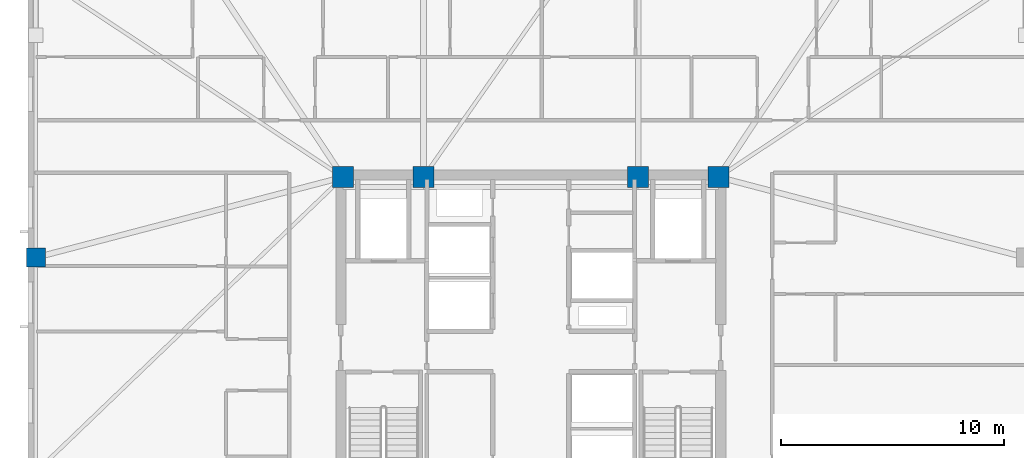
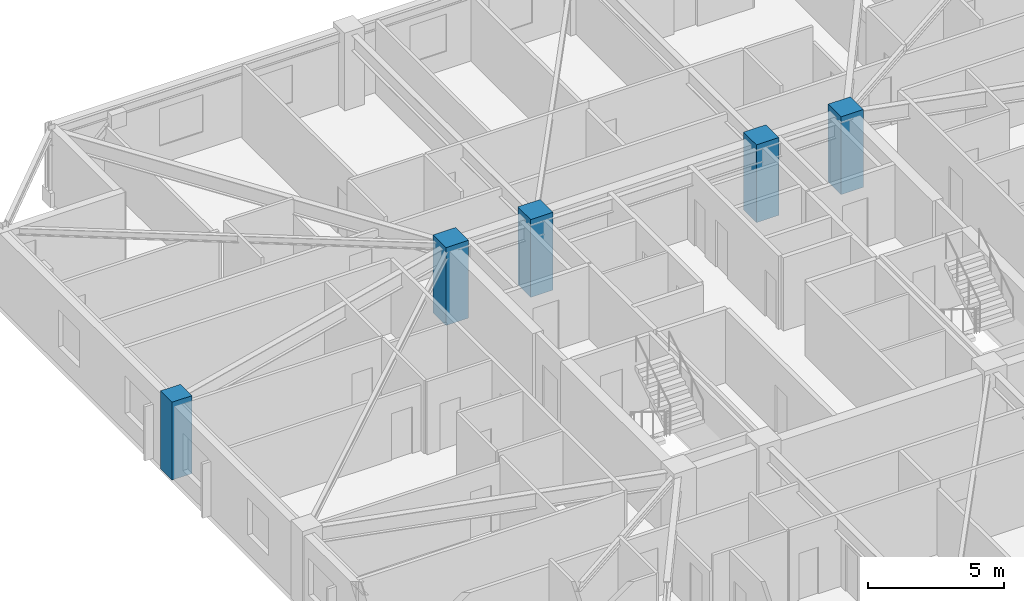
# One storey, part 2 of 17: 5 columns.
"""IFC4 building model written with IfcOpenShell, lengths in metres."""

from ifc_helpers import new_model, si_unit, direction, frame, origin, origin_2d, place, context, subcontext, project, spatial, rectangle, extrude, material, material_profile, profile_set, type_object, element, save


model = new_model("IFC4")

# Units and contexts
model_context = context("Model", 3, precision=1e-05, world=origin(), true_north=direction((0.0, 1.0)))
body_context = subcontext(model_context, "Body", "Model", "MODEL_VIEW")
ifc_project = project(units=[si_unit("LENGTHUNIT", "METRE"), si_unit("AREAUNIT", "SQUARE_METRE"), si_unit("VOLUMEUNIT", "CUBIC_METRE"), si_unit("PLANEANGLEUNIT", "RADIAN"), si_unit("MASSUNIT", "GRAM", prefix="KILO")], contexts=[model_context])

# Site, building, storey
site_placement = place(None, origin())
site = spatial("IfcSite", under=ifc_project, at=site_placement, CompositionType="ELEMENT")
building_placement = place(site_placement, origin())
building = spatial("IfcBuilding", under=site, at=building_placement, Name="Cairnveth Concourse Tower", CompositionType="ELEMENT")
storey_placement = place(building_placement, frame((0.0, 0.0, 202.5)))
storey = spatial("IfcBuildingStorey", under=building, at=storey_placement, Name="L55", CompositionType="ELEMENT", Elevation=202.5)

# Columns
ifc_material = material(Name="Concrete N65 (65 MPa)", Category="concrete")
ifc_material_profile_1 = material_profile(ifc_material, rectangle(XDim=0.949951171875, YDim=0.949951171875, at=origin_2d()), Name="RC-COL-950x950")
ifc_profile_set_1 = profile_set([ifc_material_profile_1], Name="Concrete N65 (65 MPa)")
column_type_1 = type_object("IfcColumnType", Name="CORE COLUMN 950X950", PredefinedType="COLUMN", material=ifc_profile_set_1)
for number, where, z_axis, x_axis, name in (
    (1, (43.60009765625, 47.39990234375, 0.0), (0.0, 0.0, 1.0), (1.0, 0.0, 0.0), "Column CC5 L55"),
    (2, (47.199951171875, 47.39990234375, 0.0), (0.0, 0.0, 1.0), (1.0, 0.0, 0.0), "Column CC6 L55"),
    (3, (56.800048828125, 47.39990234375, 0.0), (0.0, 0.0, 1.0), (1.0, 0.0, 0.0), "Column CC7 L55"),
    (4, (60.39990234375, 47.39990234375, 0.0), (0.0, 0.0, 1.0), (1.0, 0.0, 0.0), "Column CC8 L55"),
):
    element("IfcColumn", number, at=place(storey_placement, frame(where, z_axis=z_axis, x_axis=x_axis)), inside=storey, type_object=column_type_1, Name=name, PredefinedType="COLUMN", context=body_context, shape_type="SweptSolid", body=[
        extrude(rectangle(XDim=0.949951171875, YDim=0.949951171875, at=origin_2d()), origin(), (0.0, 0.0, 1.0), 3.5),
    ])
ifc_material_profile_2 = material_profile(ifc_material, rectangle(XDim=0.85009765625, YDim=0.85009765625, at=origin_2d()), Name="RC-COL-850x850")
ifc_profile_set_2 = profile_set([ifc_material_profile_2], Name="Concrete N65 (65 MPa)")
column_type_2 = type_object("IfcColumnType", Name="PERIMETER PIER COLUMN 850X850", PredefinedType="COLUMN", material=ifc_profile_set_2)
column_placement = place(storey_placement, frame((29.85009765625, 43.800048828125, 0.0), z_axis=(0.0, 0.0, 1.0), x_axis=(0.0, 1.0, 0.0)))
element("IfcColumn", 5, at=column_placement, inside=storey, type_object=column_type_2, Name="Column P-W2 L55", PredefinedType="COLUMN", context=body_context, shape_type="SweptSolid", body=[
    extrude(rectangle(XDim=0.85009765625, YDim=0.85009765625, at=origin_2d()), origin(), (0.0, 0.0, 1.0), 3.5),
])

save(model, "model.ifc")
